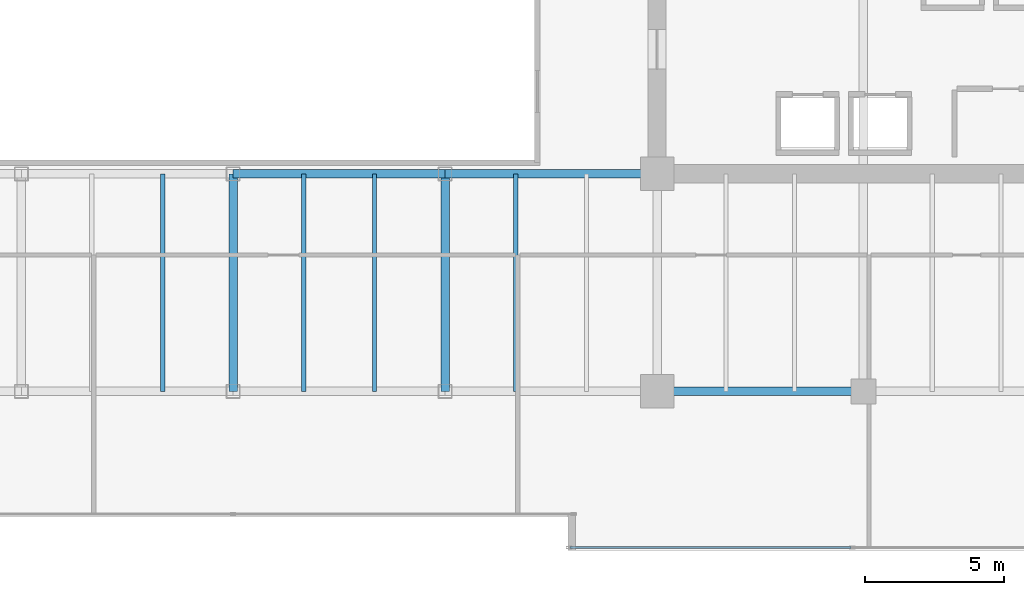
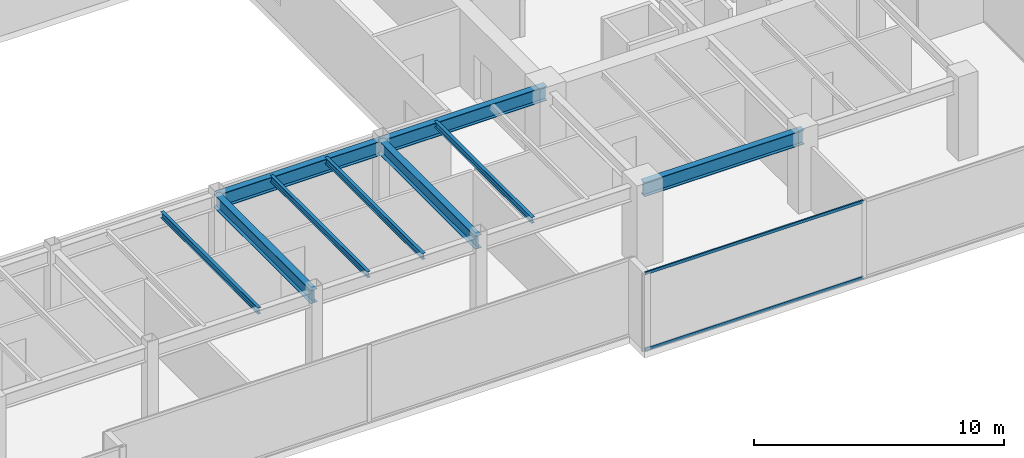
# One storey, part 11 of 30: 9 beams, 2 members, 1 element without a shape of its own.
"""IFC4 building model written with IfcOpenShell, lengths in metres."""

from ifc_helpers import new_model, si_unit, direction, frame, origin, origin_2d, place, context, subcontext, project, spatial, hollow_rectangle, i_section, extrude, source, transform, mapped, material, layer, layer_set, material_profile, profile_set, type_object, type_shapes, element, aggregate, save


model = new_model("IFC4")

# Units and contexts
model_context = context("Model", 3, precision=1e-05, world=origin(), true_north=direction((0.0, 1.0)))
body_context = subcontext(model_context, "Body", "Model", "MODEL_VIEW")
ifc_project = project(units=[si_unit("LENGTHUNIT", "METRE"), si_unit("AREAUNIT", "SQUARE_METRE"), si_unit("VOLUMEUNIT", "CUBIC_METRE"), si_unit("PLANEANGLEUNIT", "RADIAN"), si_unit("MASSUNIT", "GRAM", prefix="KILO")], contexts=[model_context])

# Site, building, storey
site_placement = place(None, origin())
site = spatial("IfcSite", under=ifc_project, at=site_placement, CompositionType="ELEMENT")
building_placement = place(site_placement, origin())
building = spatial("IfcBuilding", under=site, at=building_placement, Name="Haelvirn Gate Laboratories", CompositionType="ELEMENT")
storey_placement = place(building_placement, frame((0.0, 0.0, 142.0)))
storey = spatial("IfcBuildingStorey", under=building, at=storey_placement, Name="L34", CompositionType="ELEMENT", Elevation=142.0)

# Beams
ifc_material_1 = material(Name="Steel SM355", Category="steel")
ifc_material_profile_1 = material_profile(ifc_material_1, i_section(OverallWidth=0.300048828125, OverallDepth=0.64990234375, WebThickness=0.012939453125, FlangeThickness=0.02197265625, at=origin_2d()), Name="H-650x300x13x22")
ifc_profile_set_1 = profile_set([ifc_material_profile_1], Name="Steel SM355")
beam_type_1 = type_object("IfcBeamType", Name="BM-G-650", PredefinedType="BEAM", material=ifc_profile_set_1)
shared_shape_1 = source(origin(), body_context, "Body", "SweptSolid", [
    extrude(i_section(OverallWidth=0.300048828125, OverallDepth=0.64990234375, WebThickness=0.012939453125, FlangeThickness=0.02197265625, at=origin_2d()), origin(), (0.0, 0.0, 1.0), 7.800048828125),
])
type_shapes(beam_type_1, [shared_shape_1])
for number, where, z_axis, x_axis, name in (
    (1, (37.39990234375, 7.0, 3.465087890625), (0.0, 1.0, 0.0), (-1.0, 0.0, 0.0), "L34 Frame Girder X37.4 (7.0-14.8)"),
    (2, (45.0, 7.0, 3.465087890625), (0.0, 1.0, 0.0), (-1.0, 0.0, 0.0), "L34 Frame Girder X45.0 (7.0-14.8)"),
):
    element("IfcBeam", number, at=place(storey_placement, frame(where, z_axis=z_axis, x_axis=x_axis)), inside=storey, type_object=beam_type_1, Name=name, PredefinedType="BEAM", context=body_context, shape_type="MappedRepresentation", body=[
        mapped(shared_shape_1, transform((0.0, 0.0, 0.0), scale=1.0)),
    ])
ifc_material_profile_2 = material_profile(ifc_material_1, i_section(OverallWidth=0.300048828125, OverallDepth=0.699951171875, WebThickness=0.012939453125, FlangeThickness=0.02392578125, at=origin_2d()), Name="H-700x300x13x24")
ifc_profile_set_2 = profile_set([ifc_material_profile_2], Name="Steel SM355")
beam_type_2 = type_object("IfcBeamType", Name="BM-G-700", PredefinedType="BEAM", material=ifc_profile_set_2)
shared_shape_2 = source(origin(), body_context, "Body", "SweptSolid", [
    extrude(i_section(OverallWidth=0.300048828125, OverallDepth=0.699951171875, WebThickness=0.012939453125, FlangeThickness=0.02392578125, at=origin_2d()), origin(), (0.0, 0.0, 1.0), 7.39990234375),
])
beam_placement = place(storey_placement, frame((52.60009765625, 7.0, 3.43994140625), z_axis=(1.0, 0.0, 0.0), x_axis=(0.0, 1.0, 0.0)))
element("IfcBeam", 3, at=beam_placement, inside=storey, type_object=beam_type_2, Name="L34 Primary Girder Y7.0 (52.6-60.0)", PredefinedType="BEAM", context=body_context, shape_type="MappedRepresentation", body=[
    mapped(shared_shape_2, transform((0.0, 0.0, 0.0), scale=1.0)),
])
shared_shape_3 = source(origin(), body_context, "Body", "SweptSolid", [
    extrude(i_section(OverallWidth=0.300048828125, OverallDepth=0.699951171875, WebThickness=0.012939453125, FlangeThickness=0.02392578125, at=origin_2d()), origin(), (0.0, 0.0, 1.0), 7.60009765625),
])
type_shapes(beam_type_2, [shared_shape_2, shared_shape_3])
for number, where, z_axis, x_axis, name in (
    (4, (37.39990234375, 14.800048828125, 3.43994140625), (1.0, 0.0, 0.0), (0.0, 1.0, 0.0), "L34 Primary Girder Y14.8 (37.4-45.0)"),
    (5, (45.0, 14.800048828125, 3.43994140625), (1.0, 0.0, 0.0), (0.0, 1.0, 0.0), "L34 Primary Girder Y14.8 (45.0-52.6)"),
):
    element("IfcBeam", number, at=place(storey_placement, frame(where, z_axis=z_axis, x_axis=x_axis)), inside=storey, type_object=beam_type_2, Name=name, PredefinedType="BEAM", context=body_context, shape_type="MappedRepresentation", body=[
        mapped(shared_shape_3, transform((0.0, 0.0, 0.0), scale=1.0)),
    ])
ifc_material_profile_3 = material_profile(ifc_material_1, i_section(OverallWidth=0.14990234375, OverallDepth=0.300048828125, WebThickness=0.006591796875, FlangeThickness=0.009033203125, at=origin_2d()), Name="H-300x150x6.5x9")
ifc_profile_set_3 = profile_set([ifc_material_profile_3], Name="Steel SM355")
beam_type_3 = type_object("IfcBeamType", Name="BM-J-300", PredefinedType="JOIST", material=ifc_profile_set_3)
shared_shape_4 = source(origin(), body_context, "Body", "SweptSolid", [
    extrude(i_section(OverallWidth=0.14990234375, OverallDepth=0.300048828125, WebThickness=0.006591796875, FlangeThickness=0.009033203125, at=origin_2d()), origin(), (0.0, 0.0, 1.0), 7.800048828125),
])
type_shapes(beam_type_3, [shared_shape_4])
for number, where, z_axis, x_axis, name in (
    (6, (34.8701171875, 7.0, 3.639892578125), (0.0, 1.0, 0.0), (-1.0, 0.0, 0.0), "L34 Composite Lab Joist South X34.87"),
    (7, (39.929931640625, 7.0, 3.639892578125), (0.0, 1.0, 0.0), (-1.0, 0.0, 0.0), "L34 Composite Lab Joist South X39.93"),
    (8, (42.469970703125, 7.0, 3.639892578125), (0.0, 1.0, 0.0), (-1.0, 0.0, 0.0), "L34 Composite Lab Joist South X42.47"),
    (9, (47.530029296875, 7.0, 3.639892578125), (0.0, 1.0, 0.0), (-1.0, 0.0, 0.0), "L34 Composite Lab Joist South X47.53"),
):
    element("IfcBeam", number, at=place(storey_placement, frame(where, z_axis=z_axis, x_axis=x_axis)), inside=storey, type_object=beam_type_3, Name=name, PredefinedType="JOIST", context=body_context, shape_type="MappedRepresentation", body=[
        mapped(shared_shape_4, transform((0.0, 0.0, 0.0), scale=1.0)),
    ])

# Curtain wall, members
ifc_material_2 = material(Name="Anodised bronze unitised aluminium & triple low-E glass", Category="aluminium")
ifc_layer = layer(ifc_material_2, 0.179931640625, Name="CW-SYS-3")
ifc_layer_set = layer_set([ifc_layer], Name="Anodised bronze unitised aluminium & triple low-E glass")
curtain_wall_type = type_object("IfcCurtainWallType", Name="CW-SYS-3", PredefinedType="NOTDEFINED", material=ifc_layer_set)
curtain_wall_placement = place(storey_placement, origin())
curtain_wall = element("IfcCurtainWall", 10, at=curtain_wall_placement, inside=storey, type_object=curtain_wall_type, Name="L34 Unitised Curtain Wall CW-L34-P0-E04-1", PredefinedType="NOTDEFINED")
ifc_material_3 = material(Name="Extruded aluminium 6063-T6 (anodised bronze)", Category="aluminium")
ifc_material_profile_4 = material_profile(ifc_material_3, hollow_rectangle(XDim=0.06494140625, YDim=0.139892578125, WallThickness=0.00390625, at=origin_2d()), Name="CWT-140x65x4")
ifc_profile_set_4 = profile_set([ifc_material_profile_4], Name="Extruded aluminium 6063-T6 (anodised bronze)")
member_type = type_object("IfcMemberType", Name="CWT-T140", PredefinedType="USERDEFINED", material=ifc_profile_set_4)
shared_shape_5 = source(origin(), body_context, "Body", "SweptSolid", [
    extrude(hollow_rectangle(XDim=0.06494140625, YDim=0.139892578125, WallThickness=0.00390625, at=origin_2d()), origin(), (0.0, 0.0, 1.0), 10.08740234375),
])
type_shapes(member_type, [shared_shape_5])
member_1_placement = place(storey_placement, frame((49.47509765625, 1.39990234375, 0.032470703125), z_axis=(1.0, 0.0, 0.0), x_axis=(0.0, 1.0, 0.0)))
member_1 = element("IfcMember", 11, at=member_1_placement, type_object=member_type, Name="CW3 transom 1.1", ObjectType="TRANSOM", PredefinedType="USERDEFINED", context=body_context, shape_type="MappedRepresentation", body=[
    mapped(shared_shape_5, transform((0.0, 0.0, 0.0), scale=1.0)),
])
member_2_placement = place(storey_placement, frame((49.47509765625, 1.39990234375, 3.757568359375), z_axis=(1.0, 0.0, 0.0), x_axis=(0.0, 1.0, 0.0)))
member_2 = element("IfcMember", 12, at=member_2_placement, type_object=member_type, Name="CW3 transom 1.2", ObjectType="TRANSOM", PredefinedType="USERDEFINED", context=body_context, shape_type="MappedRepresentation", body=[
    mapped(shared_shape_5, transform((0.0, 0.0, 0.0), scale=1.0)),
])
aggregate(curtain_wall, [member_1, member_2])

save(model, "model.ifc")
